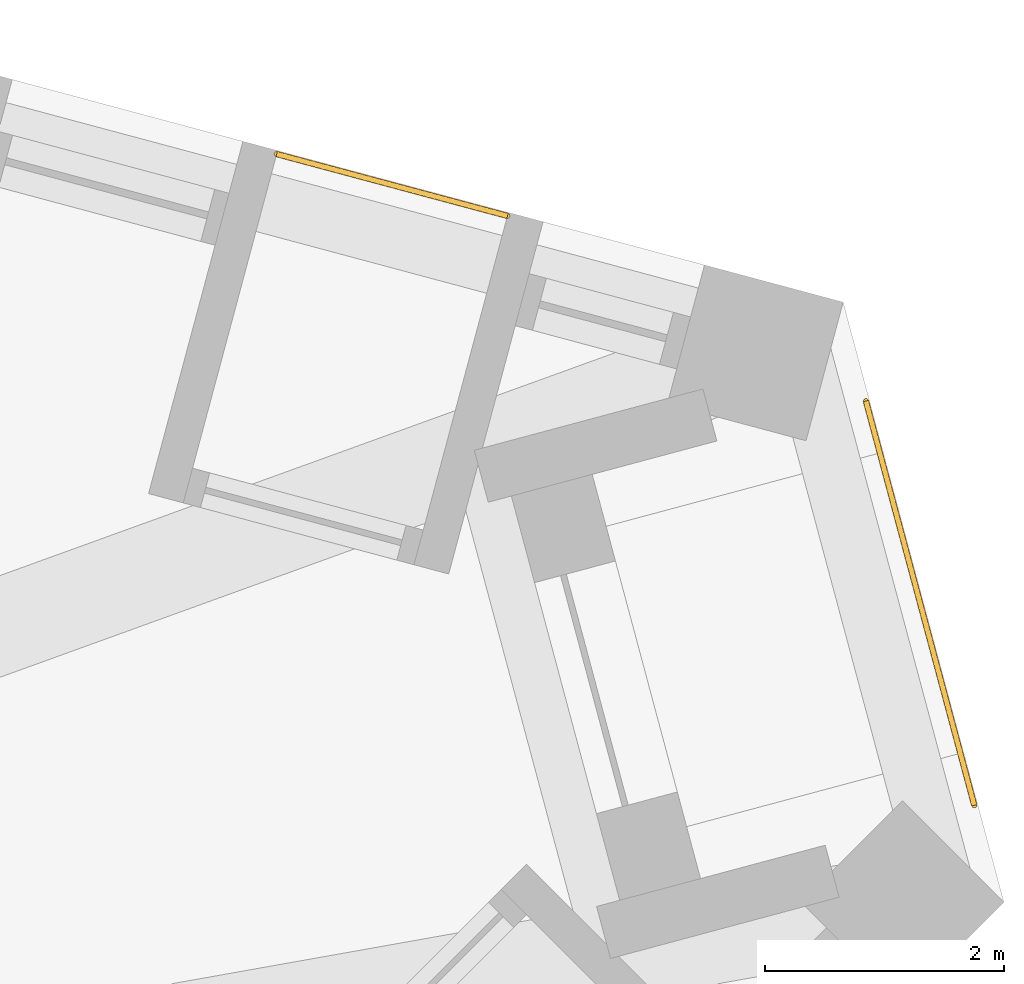
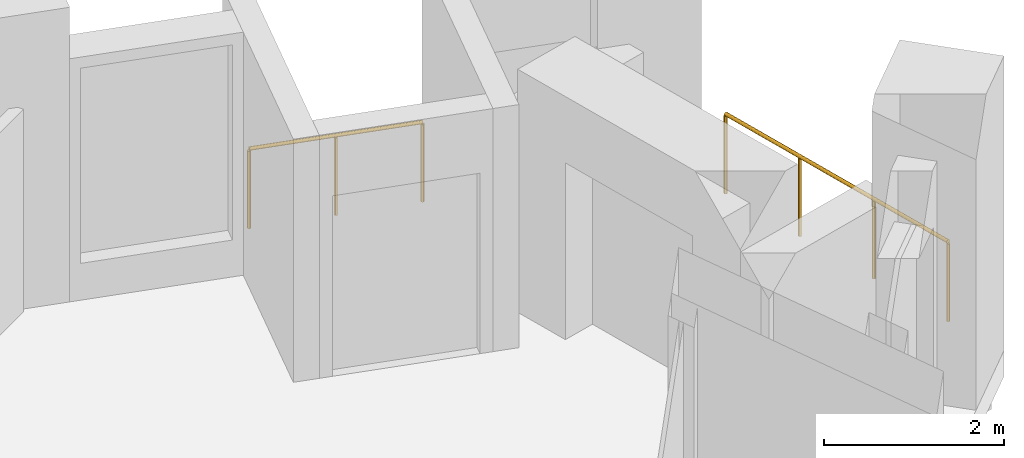
# One storey, part 13 of 13: 2 railings.
"""IFC4 building model written with IfcOpenShell, lengths in metres."""

from ifc_helpers import new_model, si_unit, direction, frame, origin, origin_2d, place, context, subcontext, project, spatial, circle, extrude, material, type_object, element, save


model = new_model("IFC4")

# Units and contexts
model_context = context("Model", 3, precision=1e-05, world=origin(), true_north=direction((0.0, 1.0)))
body_context = subcontext(model_context, "Body", "Model", "MODEL_VIEW")
ifc_project = project(units=[si_unit("LENGTHUNIT", "METRE"), si_unit("AREAUNIT", "SQUARE_METRE"), si_unit("VOLUMEUNIT", "CUBIC_METRE"), si_unit("PLANEANGLEUNIT", "RADIAN"), si_unit("MASSUNIT", "GRAM", prefix="KILO")], contexts=[model_context])

# Site, building, storey
site_placement = place(None, origin())
site = spatial("IfcSite", under=ifc_project, at=site_placement, CompositionType="ELEMENT")
building_placement = place(site_placement, origin())
building = spatial("IfcBuilding", under=site, at=building_placement, Name="Tramontana Tower", CompositionType="ELEMENT")
storey_placement = place(building_placement, frame((0.0, 0.0, 208.0)))
storey = spatial("IfcBuildingStorey", under=building, at=storey_placement, Name="L48", CompositionType="ELEMENT", Elevation=208.0)

# Railings
ifc_material = material(Name="Laminated glass balustrade", Category="glass")
railing_type = type_object("IfcRailingType", Name="GD1 Loggia glass balustrade 1100", PredefinedType="BALUSTRADE", material=ifc_material)
railing_1_placement = place(storey_placement, frame((24.04931640625, 10.60693359375, 0.0)))
element("IfcRailing", 1, at=railing_1_placement, inside=storey, type_object=railing_type, Name="Loggia balustrade L48 G5S2.1", PredefinedType="BALUSTRADE", context=body_context, shape_type="SweptSolid", body=[
    extrude(circle(Radius=0.02392578125, at=origin_2d()), frame((0.0, 0.0, 1.076171875), z_axis=(-0.96593005298, 0.258803270362, 0.0), x_axis=(-0.258803270362, -0.96593005298, 0.0)), (0.0, 0.0, 1.0), 1.998046875),
    extrude(circle(Radius=0.02099609375, at=origin_2d()), origin(), (0.0, 0.0, 1.0), 1.052001953125),
    extrude(circle(Radius=0.02099609375, at=origin_2d()), frame((-0.96484375, 0.258544921875, 0.0)), (0.0, 0.0, 1.0), 1.052001953125),
    extrude(circle(Radius=0.02099609375, at=origin_2d()), frame((-1.929931640625, 0.51708984375, 0.0)), (0.0, 0.0, 1.0), 1.052001953125),
])
railing_2_placement = place(storey_placement, frame((27.046875, 9.058837890625, 0.0)))
element("IfcRailing", 2, at=railing_2_placement, inside=storey, type_object=railing_type, Name="Corner loggia balustrade L48 K52", PredefinedType="BALUSTRADE", context=body_context, shape_type="SweptSolid", body=[
    extrude(circle(Radius=0.02392578125, at=origin_2d()), frame((0.0, 0.0, 1.076171875), z_axis=(0.258865093408, -0.965913486506, 0.0), x_axis=(0.965913486506, 0.258865093408, 0.0)), (0.0, 0.0, 1.0), 3.5),
    extrude(circle(Radius=0.02099609375, at=origin_2d()), origin(), (0.0, 0.0, 1.0), 1.052001953125),
    extrude(circle(Radius=0.02099609375, at=origin_2d()), frame((0.302001953125, -1.126953125, 0.0)), (0.0, 0.0, 1.0), 1.052001953125),
    extrude(circle(Radius=0.02099609375, at=origin_2d()), frame((0.60400390625, -2.253662109375, 0.0)), (0.0, 0.0, 1.0), 1.052001953125),
    extrude(circle(Radius=0.02099609375, at=origin_2d()), frame((0.906005859375, -3.380615234375, 0.0)), (0.0, 0.0, 1.0), 1.052001953125),
])

save(model, "model.ifc")
